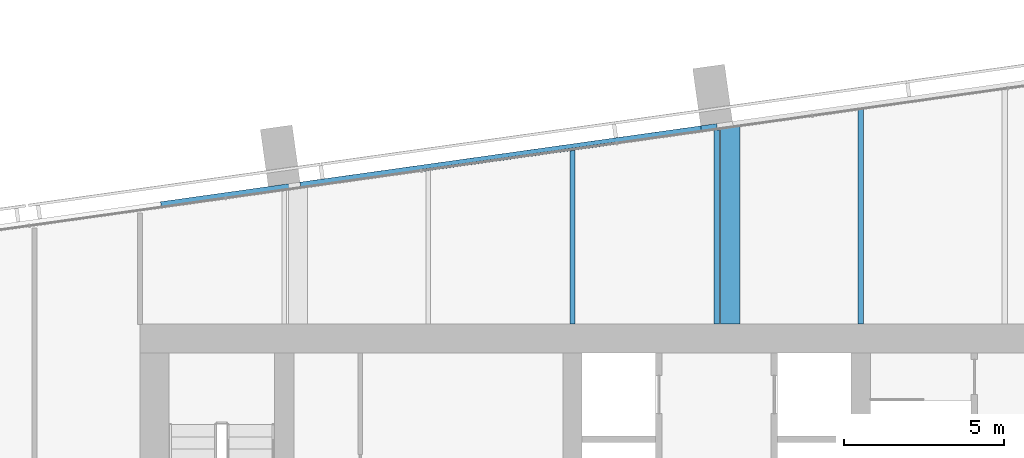
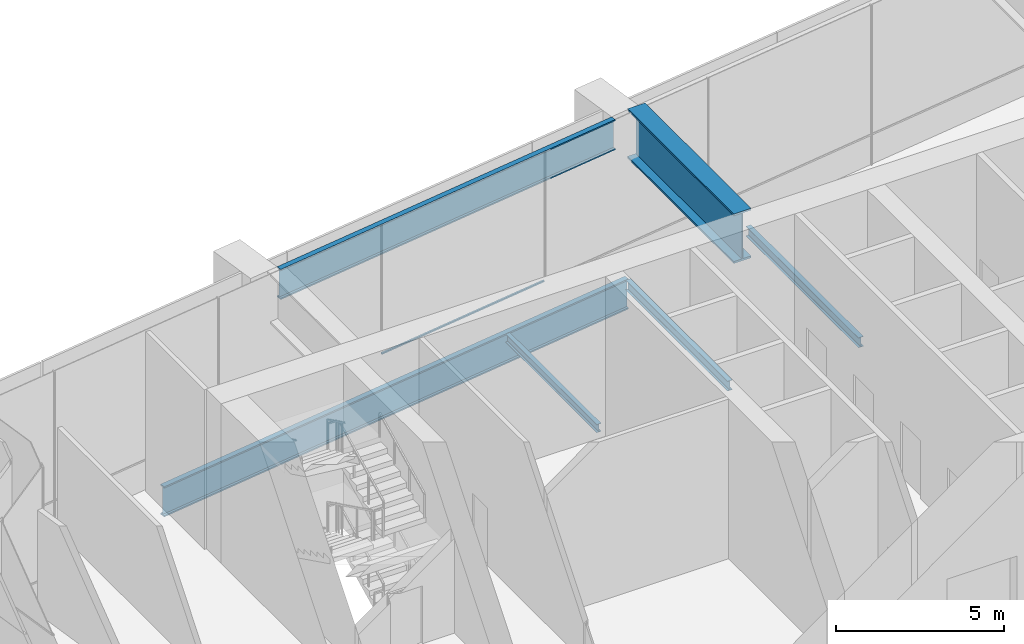
# One storey, part 12 of 25: 6 beams, 1 member, 1 element without a shape of its own.
"""IFC4 building model written with IfcOpenShell, lengths in metres."""

from ifc_helpers import new_model, si_unit, direction, frame, origin, origin_2d, place, context, subcontext, project, spatial, rectangle, i_section, extrude, material, layer, layer_set, material_profile, profile_set, type_object, element, aggregate, save


model = new_model("IFC4")

# Units and contexts
model_context = context("Model", 3, precision=1e-05, world=origin(), true_north=direction((0.0, 1.0)))
body_context = subcontext(model_context, "Body", "Model", "MODEL_VIEW")
ifc_project = project(units=[si_unit("LENGTHUNIT", "METRE"), si_unit("AREAUNIT", "SQUARE_METRE"), si_unit("VOLUMEUNIT", "CUBIC_METRE"), si_unit("PLANEANGLEUNIT", "RADIAN"), si_unit("MASSUNIT", "GRAM", prefix="KILO")], contexts=[model_context])

# Site, building, storey
site_placement = place(None, origin())
site = spatial("IfcSite", under=ifc_project, at=site_placement, CompositionType="ELEMENT")
building_placement = place(site_placement, origin())
building = spatial("IfcBuilding", under=site, at=building_placement, Name="Rattan Terrace Tower", CompositionType="ELEMENT")
storey_placement = place(building_placement, frame((0.0, 0.0, 286.300048828125)))
storey = spatial("IfcBuildingStorey", under=building, at=storey_placement, Name="L66", CompositionType="ELEMENT", Elevation=286.300048828125)

# Beams
ifc_material_1 = material(Name="Steel S460", Category="steel")
ifc_material_profile_1 = material_profile(ifc_material_1, i_section(OverallWidth=0.179931640625, OverallDepth=1.10009765625, WebThickness=0.01611328125, FlangeThickness=0.050048828125, at=origin_2d()), Name="PG 1100x180-16-50")
ifc_profile_set_1 = profile_set([ifc_material_profile_1], Name="Steel S460")
beam_type_1 = type_object("IfcBeamType", Name="Frame edge girder PG 1100x180-16-50", PredefinedType="SPANDREL", material=ifc_profile_set_1)
beam_1_placement = place(storey_placement, frame((-17.347900390625, 11.22900390625, -0.75), z_axis=(0.990275473288, 0.139120404699, 0.0), x_axis=(-0.139120404699, 0.990275473288, 0.0)))
element("IfcBeam", 1, at=beam_1_placement, inside=storey, type_object=beam_type_1, Name="gdr-L66-005", PredefinedType="SPANDREL", context=body_context, shape_type="SweptSolid", body=[
    extrude(i_section(OverallWidth=0.179931640625, OverallDepth=1.10009765625, WebThickness=0.01611328125, FlangeThickness=0.050048828125, at=origin_2d()), origin(), (0.0, 0.0, 1.0), 17.53125),
])
ifc_material_2 = material(Name="Steel S355", Category="steel")
ifc_material_profile_2 = material_profile(ifc_material_2, i_section(OverallWidth=0.14990234375, OverallDepth=0.300048828125, WebThickness=0.007080078125, FlangeThickness=0.0107421875, FilletRadius=0.014892578125, at=origin_2d()), Name="IPE 300")
ifc_profile_set_2 = profile_set([ifc_material_profile_2], Name="Steel S355")
beam_type_2 = type_object("IfcBeamType", Name="Frame floor beam IPE 300", PredefinedType="JOIST", material=ifc_profile_set_2)
beam_2_placement = place(storey_placement, frame((-4.5, 7.5, -0.35009765625), z_axis=(0.0, 1.0, 0.0), x_axis=(-1.0, 0.0, 0.0)))
element("IfcBeam", 2, at=beam_2_placement, inside=storey, type_object=beam_type_2, Name="bm-L66-017", PredefinedType="JOIST", context=body_context, shape_type="SweptSolid", body=[
    extrude(i_section(OverallWidth=0.14990234375, OverallDepth=0.300048828125, WebThickness=0.007080078125, FlangeThickness=0.0107421875, FilletRadius=0.014892578125, at=origin_2d()), origin(), (0.0, 0.0, 1.0), 5.43310546875),
])
ifc_material_3 = material(Name="Steel S355", Category="steel")
ifc_material_profile_3 = material_profile(ifc_material_3, i_section(OverallWidth=0.169921875, OverallDepth=0.360107421875, WebThickness=0.008056640625, FlangeThickness=0.0126953125, FilletRadius=0.01806640625, at=origin_2d()), Name="IPE 360")
ifc_profile_set_3 = profile_set([ifc_material_profile_3], Name="Steel S355")
beam_type_3 = type_object("IfcBeamType", Name="Frame floor beam IPE 360", PredefinedType="JOIST", material=ifc_profile_set_3)
beam_3_placement = place(storey_placement, frame((0.0, 7.5, -0.380126953125), z_axis=(0.0, 1.0, 0.0), x_axis=(-1.0, 0.0, 0.0)))
element("IfcBeam", 3, at=beam_3_placement, inside=storey, type_object=beam_type_3, Name="bm-L66-018", PredefinedType="JOIST", context=body_context, shape_type="SweptSolid", body=[
    extrude(i_section(OverallWidth=0.169921875, OverallDepth=0.360107421875, WebThickness=0.008056640625, FlangeThickness=0.0126953125, FilletRadius=0.01806640625, at=origin_2d()), origin(), (0.0, 0.0, 1.0), 6.06298828125),
])
beam_4_placement = place(storey_placement, frame((4.5, 7.5, -0.380126953125), z_axis=(0.0, 1.0, 0.0), x_axis=(-1.0, 0.0, 0.0)))
element("IfcBeam", 4, at=beam_4_placement, inside=storey, type_object=beam_type_3, Name="bm-L66-019", PredefinedType="JOIST", context=body_context, shape_type="SweptSolid", body=[
    extrude(i_section(OverallWidth=0.169921875, OverallDepth=0.360107421875, WebThickness=0.008056640625, FlangeThickness=0.0126953125, FilletRadius=0.01806640625, at=origin_2d()), origin(), (0.0, 0.0, 1.0), 6.696044921875),
])
ifc_material_4 = material(Name="Steel S460", Category="steel")
ifc_material_profile_4 = material_profile(ifc_material_4, i_section(OverallWidth=0.179931640625, OverallDepth=1.10009765625, WebThickness=0.01611328125, FlangeThickness=0.050048828125, at=origin_2d()), Name="PG 1100x180-16-50")
ifc_profile_set_4 = profile_set([ifc_material_profile_4], Name="Steel S460")
beam_type_4 = type_object("IfcBeamType", Name="Frame transfer girder PG 1100x180-16-50", PredefinedType="USERDEFINED", material=ifc_profile_set_4)
beam_5_placement = place(storey_placement, frame((-0.48291015625, 13.597900390625, 5.25), z_axis=(-0.990270441243, -0.139156218689, 0.0), x_axis=(0.139156218689, -0.990270441243, 0.0)))
element("IfcBeam", 5, at=beam_5_placement, inside=storey, type_object=beam_type_4, Name="trf-L66-003", ObjectType="TRANSFER GIRDER", PredefinedType="USERDEFINED", context=body_context, shape_type="SweptSolid", body=[
    extrude(i_section(OverallWidth=0.179931640625, OverallDepth=1.10009765625, WebThickness=0.01611328125, FlangeThickness=0.050048828125, at=origin_2d()), origin(), (0.0, 0.0, 1.0), 12.6318359375),
])
ifc_material_5 = material(Name="Steel S460", Category="steel")
ifc_material_profile_5 = material_profile(ifc_material_5, i_section(OverallWidth=0.60009765625, OverallDepth=1.800048828125, WebThickness=0.0400390625, FlangeThickness=0.070068359375, at=origin_2d()), Name="PG 1800x600-40-70")
ifc_profile_set_5 = profile_set([ifc_material_profile_5], Name="Steel S460")
beam_type_5 = type_object("IfcBeamType", Name="Frame transfer girder PG 1800x600-40-70", PredefinedType="USERDEFINED", material=ifc_profile_set_5)
beam_6_placement = place(storey_placement, frame((0.429931640625, 7.5, 4.89990234375), z_axis=(0.0, 1.0, 0.0), x_axis=(-1.0, 0.0, 0.0)))
element("IfcBeam", 6, at=beam_6_placement, inside=storey, type_object=beam_type_5, Name="trf-L66-013", ObjectType="TRANSFER GIRDER", PredefinedType="USERDEFINED", context=body_context, shape_type="SweptSolid", body=[
    extrude(i_section(OverallWidth=0.60009765625, OverallDepth=1.800048828125, WebThickness=0.0400390625, FlangeThickness=0.070068359375, at=origin_2d()), origin(), (0.0, 0.0, 1.0), 6.31689453125),
])

# Curtain wall, member
ifc_material_6 = material(Name="Aluminium and structural silicone glass", Category="aluminium")
ifc_layer = layer(ifc_material_6, 0.10009765625)
ifc_layer_set = layer_set([ifc_layer], Name="Observation Structural Silicone Curtain Wall")
curtain_wall_type = type_object("IfcCurtainWallType", Name="Observation Structural Silicone Curtain Wall", PredefinedType="NOTDEFINED", material=ifc_layer_set)
curtain_wall_placement = place(storey_placement, origin())
curtain_wall = element("IfcCurtainWall", 7, at=curtain_wall_placement, inside=storey, type_object=curtain_wall_type, Name="Observation curtain wall L66-12", PredefinedType="NOTDEFINED")
ifc_material_7 = material(Name="Aluminium", Category="aluminium")
ifc_material_profile_6 = material_profile(ifc_material_7, rectangle(XDim=0.06005859375, YDim=0.050048828125, at=origin_2d()), Name="Aluminium 60x50")
ifc_profile_set_6 = profile_set([ifc_material_profile_6], Name="Aluminium")
member_type = type_object("IfcMemberType", Name="Observation CW Transom 60x50", PredefinedType="USERDEFINED", material=ifc_profile_set_6)
member_placement = place(storey_placement, frame((-3.13818359375, 13.14404296875, 1.099853515625), z_axis=(-0.990268168268, -0.139172392788, 0.0), x_axis=(0.139172392788, -0.990268168268, 0.0)))
member = element("IfcMember", 8, at=member_placement, type_object=member_type, Name="Transom cwl-L66-012.4", ObjectType="TRANSOM", PredefinedType="USERDEFINED", context=body_context, shape_type="SweptSolid", body=[
    extrude(rectangle(XDim=0.06005859375, YDim=0.050048828125, at=origin_2d()), origin(), (0.0, 0.0, 1.0), 6.125732421875),
])
aggregate(curtain_wall, [member])

save(model, "model.ifc")
